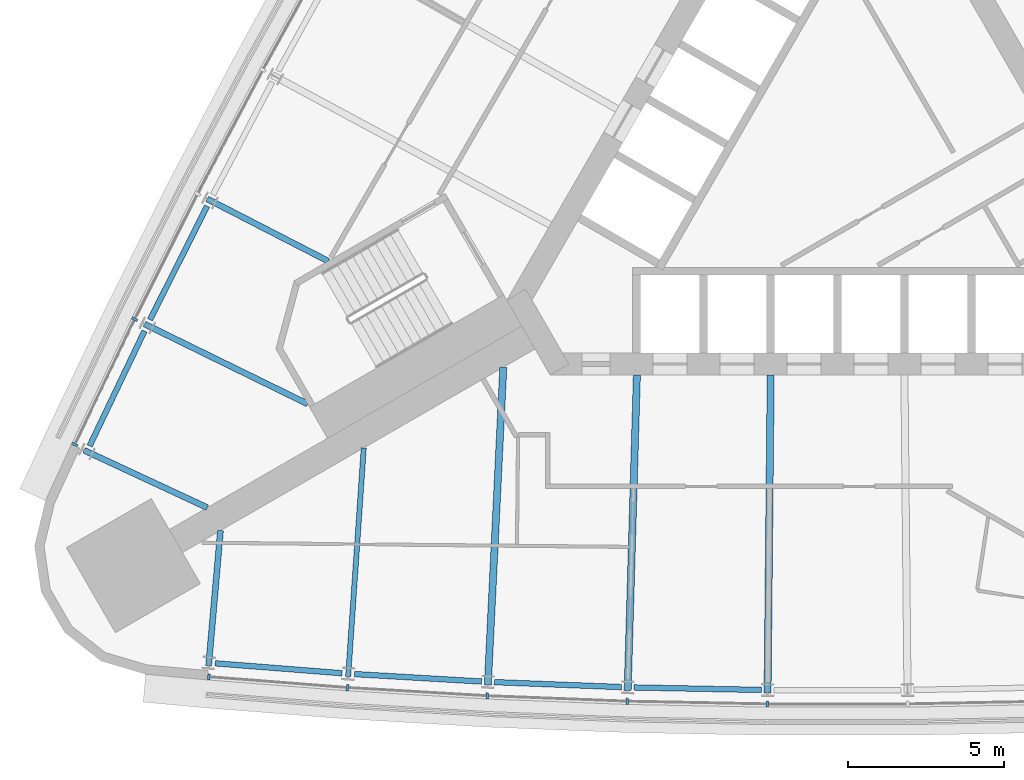
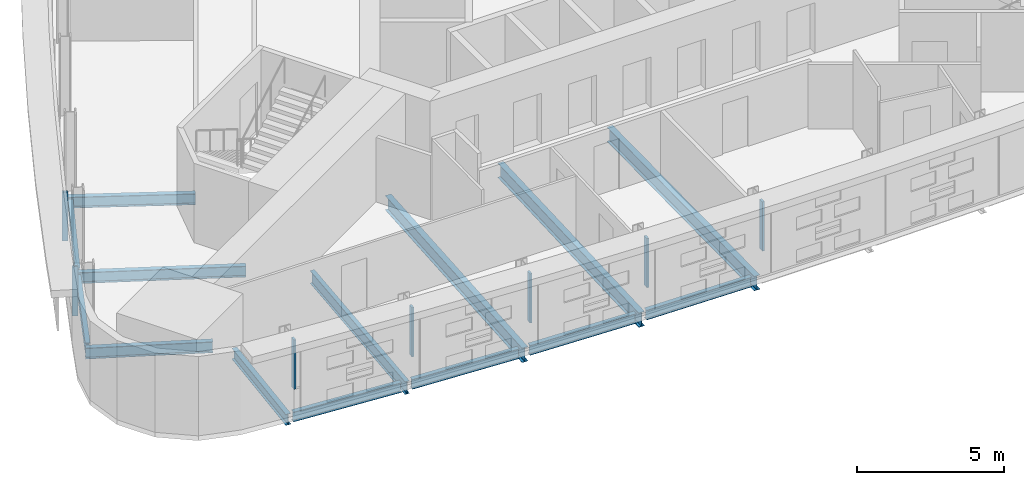
# One storey, part 2 of 13: 14 beams, 7 members, 2 elements without a shape of their own.
"""IFC4 building model written with IfcOpenShell, lengths in metres."""

from ifc_helpers import new_model, si_unit, direction, frame, origin, origin_2d, place, context, subcontext, project, spatial, rectangle, i_section, extrude, material, material_profile, profile_set, type_object, element, aggregate, save


model = new_model("IFC4")

# Units and contexts
model_context = context("Model", 3, precision=1e-05, world=origin(), true_north=direction((0.0, 1.0)))
body_context = subcontext(model_context, "Body", "Model", "MODEL_VIEW")
ifc_project = project(units=[si_unit("LENGTHUNIT", "METRE"), si_unit("AREAUNIT", "SQUARE_METRE"), si_unit("VOLUMEUNIT", "CUBIC_METRE"), si_unit("PLANEANGLEUNIT", "RADIAN"), si_unit("MASSUNIT", "GRAM", prefix="KILO")], contexts=[model_context])

# Site, building, storey
site_placement = place(None, origin())
site = spatial("IfcSite", under=ifc_project, at=site_placement, CompositionType="ELEMENT")
building_placement = place(site_placement, origin())
building = spatial("IfcBuilding", under=site, at=building_placement, Name="Noor Cloister Tower", CompositionType="ELEMENT")
storey_placement = place(building_placement, frame((0.0, 0.0, 83.39990234375)))
storey = spatial("IfcBuildingStorey", under=building, at=storey_placement, Name="L21", CompositionType="ELEMENT", Elevation=83.39990234375)

# Curtain wall, members
ifc_material_1 = material(Name="Aluminium 6063-T6 anodised", Category="aluminium")
curtain_wall_type = type_object("IfcCurtainWallType", Name="Ribbon curtain wall, lower tower CW1", PredefinedType="NOTDEFINED", material=ifc_material_1)
curtain_wall_1_placement = place(storey_placement, origin())
curtain_wall_1 = element("IfcCurtainWall", 1, at=curtain_wall_1_placement, inside=storey, type_object=curtain_wall_type, Name="CW1 L21 NW run 1", PredefinedType="NOTDEFINED")
ifc_material_2 = material(Name="Aluminium 6063-T6 anodised", Category="aluminium")
ifc_material_profile_1 = material_profile(ifc_material_2, rectangle(XDim=0.199951171875, YDim=0.080078125, at=origin_2d()), Name="200 x 80 mullion")
ifc_profile_set_1 = profile_set([ifc_material_profile_1], Name="Aluminium 6063-T6 anodised")
member_type = type_object("IfcMemberType", Name="Mullion CW1 80 x 200", PredefinedType="MULLION", material=ifc_profile_set_1)
member_1_placement = place(storey_placement, frame((-22.558837890625, -5.14013671875, 1.10009765625), z_axis=(0.0, 0.0, 1.0), x_axis=(0.898076896074, -0.439838480283, 0.0)))
member_1 = element("IfcMember", 2, at=member_1_placement, type_object=member_type, Name="CW1 mullion 9", PredefinedType="MULLION", context=body_context, shape_type="SweptSolid", body=[
    extrude(rectangle(XDim=0.199951171875, YDim=0.080078125, at=origin_2d()), origin(), (0.0, 0.0, 1.0), 2.050048828125),
])
member_2_placement = place(storey_placement, frame((-24.48095703125, -9.16357421875, 1.10009765625), z_axis=(0.0, 0.0, 1.0), x_axis=(0.902318257083, -0.431070484881, 0.0)))
member_2 = element("IfcMember", 3, at=member_2_placement, type_object=member_type, Name="CW1 mullion 10", PredefinedType="MULLION", context=body_context, shape_type="SweptSolid", body=[
    extrude(rectangle(XDim=0.199951171875, YDim=0.080078125, at=origin_2d()), origin(), (0.0, 0.0, 1.0), 2.050048828125),
])
aggregate(curtain_wall_1, [member_1, member_2])

curtain_wall_2_placement = place(storey_placement, origin())
curtain_wall_2 = element("IfcCurtainWall", 4, at=curtain_wall_2_placement, inside=storey, type_object=curtain_wall_type, Name="CW1 L21 S run 2", PredefinedType="NOTDEFINED")
member_3_placement = place(storey_placement, frame((-20.176513671875, -16.619384765625, 1.10009765625), z_axis=(0.0, 0.0, 1.0), x_axis=(0.077841137813, 0.996965775372, 0.0)))
member_3 = element("IfcMember", 5, at=member_3_placement, type_object=member_type, Name="CW1 mullion 1", PredefinedType="MULLION", context=body_context, shape_type="SweptSolid", body=[
    extrude(rectangle(XDim=0.199951171875, YDim=0.080078125, at=origin_2d()), origin(), (0.0, 0.0, 1.0), 2.050048828125),
])
member_4_placement = place(storey_placement, frame((-15.73095703125, -16.96630859375, 1.10009765625), z_axis=(0.0, 0.0, 1.0), x_axis=(0.06812715055, 0.997676646694, 0.0)))
member_4 = element("IfcMember", 6, at=member_4_placement, type_object=member_type, Name="CW1 mullion 2", PredefinedType="MULLION", context=body_context, shape_type="SweptSolid", body=[
    extrude(rectangle(XDim=0.199951171875, YDim=0.080078125, at=origin_2d()), origin(), (0.0, 0.0, 1.0), 2.050048828125),
])
member_5_placement = place(storey_placement, frame((-11.24072265625, -17.22900390625, 1.10009765625), z_axis=(0.0, 0.0, 1.0), x_axis=(0.048680726574, 0.998814390595, 0.0)))
member_5 = element("IfcMember", 7, at=member_5_placement, type_object=member_type, Name="CW1 mullion 3", PredefinedType="MULLION", context=body_context, shape_type="SweptSolid", body=[
    extrude(rectangle(XDim=0.199951171875, YDim=0.080078125, at=origin_2d()), origin(), (0.0, 0.0, 1.0), 2.050048828125),
])
member_6_placement = place(storey_placement, frame((-6.74609375, -17.404296875, 1.10009765625), z_axis=(0.0, 0.0, 1.0), x_axis=(0.029215830313, 0.999573126519, 0.0)))
member_6 = element("IfcMember", 8, at=member_6_placement, type_object=member_type, Name="CW1 mullion 4", PredefinedType="MULLION", context=body_context, shape_type="SweptSolid", body=[
    extrude(rectangle(XDim=0.199951171875, YDim=0.080078125, at=origin_2d()), origin(), (0.0, 0.0, 1.0), 2.050048828125),
])
member_7_placement = place(storey_placement, frame((-2.2490234375, -17.491943359375, 1.10009765625), z_axis=(0.0, 0.0, 1.0), x_axis=(0.009739847876, 0.999952566557, 0.0)))
member_7 = element("IfcMember", 9, at=member_7_placement, type_object=member_type, Name="CW1 mullion 5", PredefinedType="MULLION", context=body_context, shape_type="SweptSolid", body=[
    extrude(rectangle(XDim=0.199951171875, YDim=0.080078125, at=origin_2d()), origin(), (0.0, 0.0, 1.0), 2.050048828125),
])
aggregate(curtain_wall_2, [member_3, member_4, member_5, member_6, member_7])

# Beams
ifc_material_3 = material(Name="Steel ASTM A992 Gr 50", Category="steel")
ifc_material_profile_2 = material_profile(ifc_material_3, i_section(OverallWidth=0.19091796875, OverallDepth=0.45703125, WebThickness=0.009033203125, FlangeThickness=0.014404296875, FilletRadius=0.01025390625, at=origin_2d()), Name="W460x74")
ifc_profile_set_2 = profile_set([ifc_material_profile_2], Name="Steel ASTM A992 Gr 50")
beam_type_1 = type_object("IfcBeamType", Name="Radial beam W460x74", PredefinedType="BEAM", material=ifc_profile_set_2)
beam_1_placement = place(storey_placement, frame((-20.227294921875, -1.281494140625, -0.428466796875), z_axis=(0.88934631095, -0.457234227939, 0.0), x_axis=(0.457234227939, 0.88934631095, 0.0)))
element("IfcBeam", 10, at=beam_1_placement, inside=storey, type_object=beam_type_1, Name="Radial beam NW 08 L21", PredefinedType="BEAM", context=body_context, shape_type="SweptSolid", body=[
    extrude(i_section(OverallWidth=0.19091796875, OverallDepth=0.45703125, WebThickness=0.009033203125, FlangeThickness=0.014404296875, FilletRadius=0.01025390625, at=origin_2d()), origin(), (0.0, 0.0, 1.0), 4.363525390625),
])
beam_2_placement = place(storey_placement, frame((-22.24169921875, -5.29541015625, -0.428466796875), z_axis=(0.898072494859, -0.439847466717, 0.0), x_axis=(0.439847466717, 0.898072494859, 0.0)))
element("IfcBeam", 11, at=beam_2_placement, inside=storey, type_object=beam_type_1, Name="Radial beam NW 09 L21", PredefinedType="BEAM", context=body_context, shape_type="SweptSolid", body=[
    extrude(i_section(OverallWidth=0.19091796875, OverallDepth=0.45703125, WebThickness=0.009033203125, FlangeThickness=0.014404296875, FilletRadius=0.01025390625, at=origin_2d()), origin(), (0.0, 0.0, 1.0), 5.83203125),
])
for number, where, z_axis, x_axis, name in (
    (12, (-24.177734375, -9.347900390625, -0.428466796875), (0.906477800854, -0.422253474301, 0.0), (0.422253474301, 0.906477800854, 0.0), "Radial beam NW 10 L21"),
    (13, (-20.184326171875, -16.2646484375, -0.428466796875), (0.087519338878, 0.996162820689, 0.0), (-0.996162820689, 0.087519338878, 0.0), "Radial beam S 01 L21"),
):
    element("IfcBeam", number, at=place(storey_placement, frame(where, z_axis=z_axis, x_axis=x_axis)), inside=storey, type_object=beam_type_1, Name=name, PredefinedType="BEAM", context=body_context, shape_type="SweptSolid", body=[
        extrude(i_section(OverallWidth=0.19091796875, OverallDepth=0.45703125, WebThickness=0.009033203125, FlangeThickness=0.014404296875, FilletRadius=0.01025390625, at=origin_2d()), origin(), (0.0, 0.0, 1.0), 4.357177734375),
    ])
ifc_material_4 = material(Name="Steel ASTM A992 Gr 50", Category="steel")
ifc_material_profile_3 = material_profile(ifc_material_4, i_section(OverallWidth=0.166015625, OverallDepth=0.528076171875, WebThickness=0.009765625, FlangeThickness=0.013671875, FilletRadius=0.0126953125, at=origin_2d()), Name="W530x74")
ifc_profile_set_3 = profile_set([ifc_material_profile_3], Name="Steel ASTM A992 Gr 50")
beam_type_2 = type_object("IfcBeamType", Name="Radial beam W530x74", PredefinedType="BEAM", material=ifc_profile_set_3)
beam_3_placement = place(storey_placement, frame((-15.70703125, -16.6142578125, -0.4638671875), z_axis=(0.068149923969, 0.997675091331, 0.0), x_axis=(-0.997675091331, 0.068149923969, 0.0)))
element("IfcBeam", 14, at=beam_3_placement, inside=storey, type_object=beam_type_2, Name="Radial beam S 02 L21", PredefinedType="BEAM", context=body_context, shape_type="SweptSolid", body=[
    extrude(i_section(OverallWidth=0.166015625, OverallDepth=0.528076171875, WebThickness=0.009765625, FlangeThickness=0.013671875, FilletRadius=0.0126953125, at=origin_2d()), origin(), (0.0, 0.0, 1.0), 7.36181640625),
])
ifc_material_5 = material(Name="Steel ASTM A992 Gr 50", Category="steel")
ifc_material_profile_4 = material_profile(ifc_material_5, i_section(OverallWidth=0.22802734375, OverallDepth=0.60205078125, WebThickness=0.010498046875, FlangeThickness=0.014892578125, FilletRadius=0.0126953125, at=origin_2d()), Name="W610x101")
ifc_profile_set_4 = profile_set([ifc_material_profile_4], Name="Steel ASTM A992 Gr 50")
beam_type_3 = type_object("IfcBeamType", Name="Radial beam W610x101", PredefinedType="BEAM", material=ifc_profile_set_4)
beam_4_placement = place(storey_placement, frame((-11.223388671875, -16.87646484375, -0.5009765625), z_axis=(0.048662011674, 0.998815302556, 0.0), x_axis=(-0.998815302556, 0.048662011674, 0.0)))
element("IfcBeam", 15, at=beam_4_placement, inside=storey, type_object=beam_type_3, Name="Radial beam S 03 L21", PredefinedType="BEAM", context=body_context, shape_type="SweptSolid", body=[
    extrude(i_section(OverallWidth=0.22802734375, OverallDepth=0.60205078125, WebThickness=0.010498046875, FlangeThickness=0.014892578125, FilletRadius=0.0126953125, at=origin_2d()), origin(), (0.0, 0.0, 1.0), 10.204833984375),
])
beam_5_placement = place(storey_placement, frame((-6.73583984375, -17.051513671875, -0.5009765625), z_axis=(0.029216992359, 0.999573092554, 0.0), x_axis=(-0.999573092554, 0.029216992359, 0.0)))
element("IfcBeam", 16, at=beam_5_placement, inside=storey, type_object=beam_type_3, Name="Radial beam S 04 L21", PredefinedType="BEAM", context=body_context, shape_type="SweptSolid", body=[
    extrude(i_section(OverallWidth=0.22802734375, OverallDepth=0.60205078125, WebThickness=0.010498046875, FlangeThickness=0.014892578125, FilletRadius=0.0126953125, at=origin_2d()), origin(), (0.0, 0.0, 1.0), 10.127685546875),
])
beam_6_placement = place(storey_placement, frame((-2.24560546875, -17.138916015625, -0.5009765625), z_axis=(0.009754933581, 0.999952419503, 0.0), x_axis=(-0.999952419503, 0.009754933581, 0.0)))
element("IfcBeam", 17, at=beam_6_placement, inside=storey, type_object=beam_type_3, Name="Radial beam S 05 L21", PredefinedType="BEAM", context=body_context, shape_type="SweptSolid", body=[
    extrude(i_section(OverallWidth=0.22802734375, OverallDepth=0.60205078125, WebThickness=0.010498046875, FlangeThickness=0.014892578125, FilletRadius=0.0126953125, at=origin_2d()), origin(), (0.0, 0.0, 1.0), 10.211181640625),
])
ifc_material_6 = material(Name="Steel ASTM A992 Gr 50", Category="steel")
ifc_material_profile_5 = material_profile(ifc_material_6, i_section(OverallWidth=0.177978515625, OverallDepth=0.406005859375, WebThickness=0.0078125, FlangeThickness=0.0126953125, FilletRadius=0.01025390625, at=origin_2d()), Name="W410x60")
ifc_profile_set_5 = profile_set([ifc_material_profile_5], Name="Steel ASTM A992 Gr 50")
beam_type_4 = type_object("IfcBeamType", Name="Spandrel beam W410x60", PredefinedType="SPANDREL", material=ifc_profile_set_5)
for number, where, z_axis, x_axis, name in (
    (18, (-20.2314453125, -1.506591796875, -0.40283203125), (-0.448575656489, -0.893744863149, 0.0), (0.893744863149, -0.448575656489, 0.0), "Spandrel beam NW 08 L21"),
    (19, (-22.24169921875, -5.5205078125, -0.40283203125), (-0.43107692405, -0.902315180827, 0.0), (0.902315180827, -0.43107692405, 0.0), "Spandrel beam NW 09 L21"),
):
    element("IfcBeam", number, at=place(storey_placement, frame(where, z_axis=z_axis, x_axis=x_axis)), inside=storey, type_object=beam_type_4, Name=name, PredefinedType="SPANDREL", context=body_context, shape_type="SweptSolid", body=[
        extrude(i_section(OverallWidth=0.177978515625, OverallDepth=0.406005859375, WebThickness=0.0078125, FlangeThickness=0.0126953125, FilletRadius=0.01025390625, at=origin_2d()), origin(), (0.0, 0.0, 1.0), 4.085205078125),
    ])
for number, where, z_axis, x_axis, name in (
    (20, (-19.974609375, -16.18359375, -0.40283203125), (0.996963808754, -0.077866321573, 0.0), (0.077866321573, 0.996963808754, 0.0), "Spandrel beam S 01 L21"),
    (21, (-15.498779296875, -16.529296875, -0.40283203125), (0.998294099213, -0.058385712956, 0.0), (0.058385712956, 0.998294099213, 0.0), "Spandrel beam S 02 L21"),
):
    element("IfcBeam", number, at=place(storey_placement, frame(where, z_axis=z_axis, x_axis=x_axis)), inside=storey, type_object=beam_type_4, Name=name, PredefinedType="SPANDREL", context=body_context, shape_type="SweptSolid", body=[
        extrude(i_section(OverallWidth=0.177978515625, OverallDepth=0.406005859375, WebThickness=0.0078125, FlangeThickness=0.0126953125, FilletRadius=0.01025390625, at=origin_2d()), origin(), (0.0, 0.0, 1.0), 4.08544921875),
    ])
for number, where, z_axis, x_axis, name in (
    (22, (-11.016845703125, -16.787353515625, -0.40283203125), (0.999240552609, -0.038965600496, 0.0), (0.038965600496, 0.999240552609, 0.0), "Spandrel beam S 03 L21"),
    (23, (-6.531005859375, -16.95849609375, -0.40283203125), (0.999810202859, -0.019482254999, 0.0), (0.019482254999, 0.999810202859, 0.0), "Spandrel beam S 04 L21"),
):
    element("IfcBeam", number, at=place(storey_placement, frame(where, z_axis=z_axis, x_axis=x_axis)), inside=storey, type_object=beam_type_4, Name=name, PredefinedType="SPANDREL", context=body_context, shape_type="SweptSolid", body=[
        extrude(i_section(OverallWidth=0.177978515625, OverallDepth=0.406005859375, WebThickness=0.0078125, FlangeThickness=0.0126953125, FilletRadius=0.01025390625, at=origin_2d()), origin(), (0.0, 0.0, 1.0), 4.085205078125),
    ])

save(model, "model.ifc")
